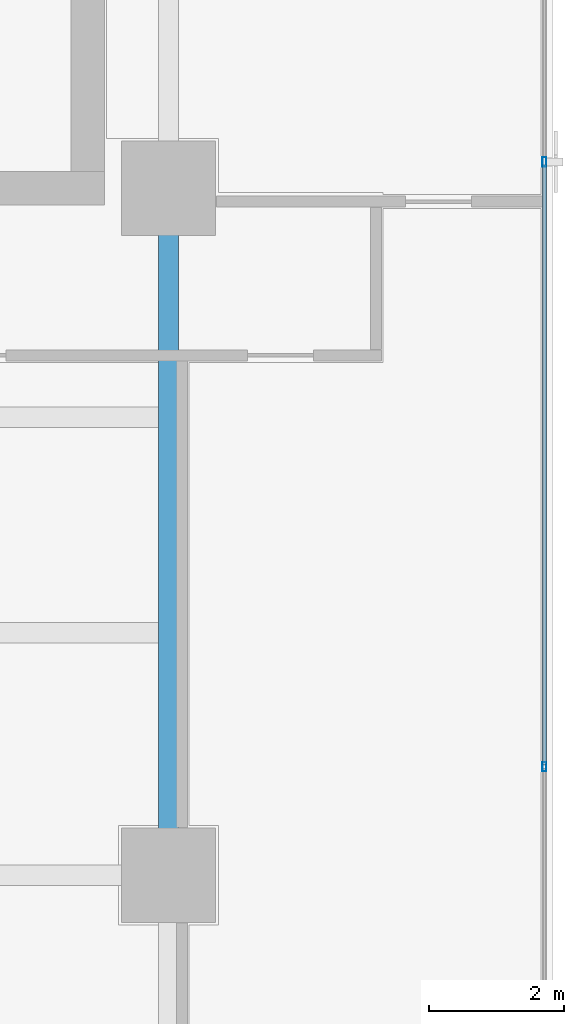
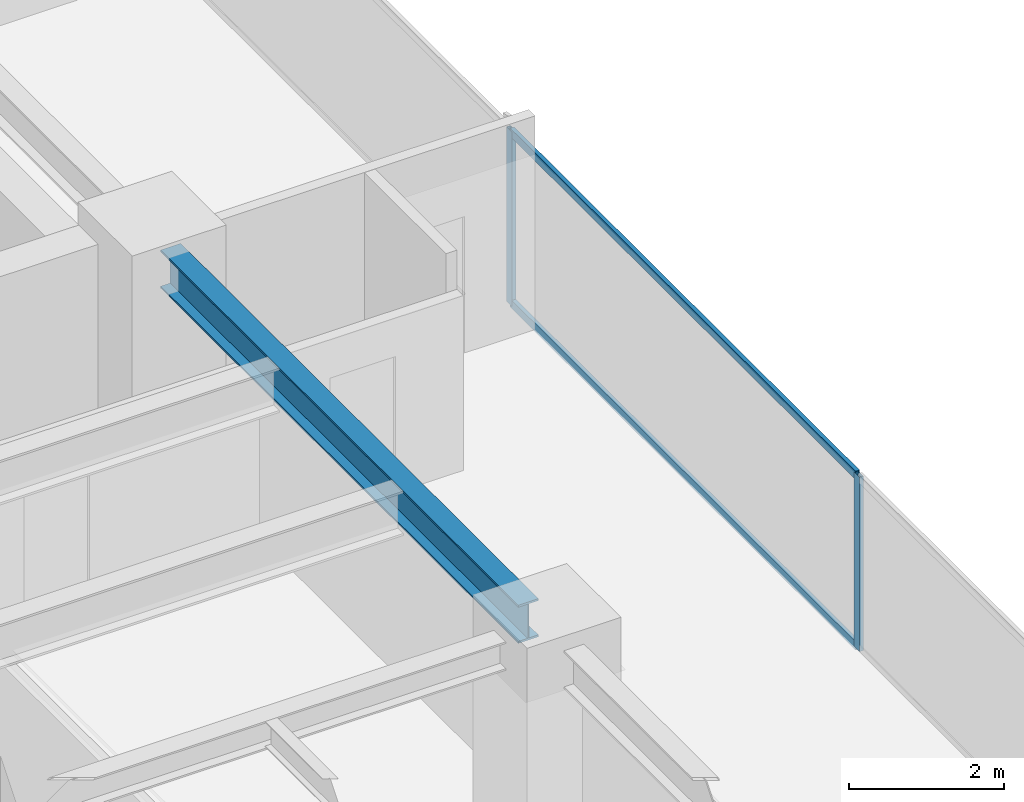
# One storey, part 13 of 26: 4 members, 1 beam, 1 element without a shape of its own.
"""IFC4 building model written with IfcOpenShell, lengths in metres."""

import ifcopenshell
import ifcopenshell.guid

model = None  # the IFC model being written
_history = None  # IfcOwnerHistory: only IFC2X3 demands one
_inside = {}  # id of a spatial element -> (the spatial element, [elements in it])
_under = {}  # id of a project, library or spatial element -> (it, [spatial elements below it])
_declared = {}  # id of a project -> (the project, [libraries it declares])
_typed = {}  # id of a type object -> (the type object, [elements of that type])
_made_of = {}  # id of a material, layer set ... -> (it, [elements and type objects made of it])


def new_model(schema):
    """Start an empty IFC model of exactly this schema.

    Asked for "IFC4X3", IfcOpenShell would pick the latest addendum, in which some entities
    have other attributes; the version numbers below select the first issue.
    IFC2X3 requires an IfcOwnerHistory on every rooted entity: one is made here for all.
    """
    global model, _history
    if schema == "IFC4X3":
        model = ifcopenshell.file(schema_version=(4, 3, 0, 0))
    else:
        model = ifcopenshell.file(schema=schema)
    _inside.clear()
    _under.clear()
    _declared.clear()
    _typed.clear()
    _made_of.clear()
    _history = None
    if model.schema == "IFC2X3":
        org = make("IfcOrganization", Name="unknown")
        user = make(
            "IfcPersonAndOrganization",
            ThePerson=make("IfcPerson", FamilyName="unknown"),
            TheOrganization=org,
        )
        app = make(
            "IfcApplication",
            ApplicationDeveloper=org,
            Version="unknown",
            ApplicationFullName="unknown",
            ApplicationIdentifier="unknown",
        )
        _history = make(
            "IfcOwnerHistory",
            OwningUser=user,
            OwningApplication=app,
            ChangeAction="ADDED",
            CreationDate=0,
        )
    return model


def make(cls, **values):
    """One entity of the class cls with the attributes given. An attribute that is None is left unset."""
    return model.create_entity(
        cls, **{name: value for name, value in values.items() if value is not None}
    )


def rooted(cls, **values):
    """An entity with a GlobalId (a new one), such as an element, a storey or a relation."""
    return make(cls, GlobalId=ifcopenshell.guid.new(), OwnerHistory=_history, **values)


def si_unit(unit_type, name, prefix=None):
    """IfcSIUnit, for example si_unit("LENGTHUNIT", "METRE", prefix="MILLI")."""
    return make("IfcSIUnit", UnitType=unit_type, Prefix=prefix, Name=name)


def assignment(units):
    """IfcUnitAssignment: the units of a project."""
    return None if units is None else make("IfcUnitAssignment", Units=units)


def point(xyz):
    """IfcCartesianPoint."""
    return None if xyz is None else make("IfcCartesianPoint", Coordinates=xyz)


def direction(xyz):
    """IfcDirection."""
    return None if xyz is None else make("IfcDirection", DirectionRatios=xyz)


def frame(location, z_axis=None, x_axis=None):
    """IfcAxis2Placement3D, a coordinate frame: its origin and axes. An axis left out is left unset."""
    return make(
        "IfcAxis2Placement3D",
        Location=point(location),
        Axis=direction(z_axis),
        RefDirection=direction(x_axis),
    )


def frame_2d(location, x_axis=None):
    """IfcAxis2Placement2D, a coordinate frame in the plane: its origin and x axis."""
    return make(
        "IfcAxis2Placement2D", Location=point(location), RefDirection=direction(x_axis)
    )


def origin():
    """The frame at (0, 0, 0) with its axes left unset."""
    return frame((0.0, 0.0, 0.0))


def origin_2d():
    """The frame at (0, 0) in the plane with its x axis left unset."""
    return frame_2d((0.0, 0.0))


def place(relative_to, where):
    """IfcLocalPlacement: puts the frame where relative to a parent placement (None: the world)."""
    return make(
        "IfcLocalPlacement", PlacementRelTo=relative_to, RelativePlacement=where
    )


def context(
    kind, dimensions, precision=None, world=None, true_north=None, identifier=None
):
    """IfcGeometricRepresentationContext, for example the 3D "Model" context."""
    return make(
        "IfcGeometricRepresentationContext",
        ContextIdentifier=identifier,
        ContextType=kind,
        CoordinateSpaceDimension=dimensions,
        Precision=precision,
        WorldCoordinateSystem=world,
        TrueNorth=true_north,
    )


def subcontext(parent, identifier, kind, view, scale=None):
    """IfcGeometricRepresentationSubContext, for example "Body" below "Model"."""
    return make(
        "IfcGeometricRepresentationSubContext",
        ContextIdentifier=identifier,
        ContextType=kind,
        ParentContext=parent,
        TargetScale=scale,
        TargetView=view,
    )


def project(units=None, contexts=None):
    """IfcProject with its units and contexts."""
    return rooted(
        "IfcProject",
        Name="project",
        RepresentationContexts=contexts,
        UnitsInContext=assignment(units),
    )


def spatial(cls, under=None, at=None, **own):
    """A site, building, storey or space (cls), placed at a placement, below another one or the project."""
    s = rooted(cls, ObjectPlacement=at, **own)
    if under is not None:
        _under.setdefault(under.id(), (under, []))[1].append(s)
    return s


def profile(cls, at=None, kind="AREA", **sizes):
    """A parametric profile (cls). Its sizes go by their IFC names, for example OverallWidth=200.0."""
    return make(cls, ProfileType=kind, Position=at, **sizes)


def hollow_rectangle(**sizes):
    """IfcRectangleHollowProfileDef."""
    return profile("IfcRectangleHollowProfileDef", **sizes)


def i_section(**sizes):
    """IfcIShapeProfileDef."""
    return profile("IfcIShapeProfileDef", **sizes)


def extrude(swept, where, along, depth):
    """IfcExtrudedAreaSolid: the profile swept, set in the frame where, extruded along a direction by depth."""
    return make(
        "IfcExtrudedAreaSolid",
        SweptArea=swept,
        Position=where,
        ExtrudedDirection=direction(along),
        Depth=depth,
    )


def shape(context_of_items, identifier, shape_type, items):
    """IfcShapeRepresentation: the items that make up one representation, for example the "Body"."""
    return make(
        "IfcShapeRepresentation",
        ContextOfItems=context_of_items,
        RepresentationIdentifier=identifier,
        RepresentationType=shape_type,
        Items=items,
    )


def source(mapping_origin, context_of_items, identifier, shape_type, items):
    """IfcRepresentationMap: a shape defined once, which mapped items show again and again."""
    return make(
        "IfcRepresentationMap",
        MappingOrigin=mapping_origin,
        MappedRepresentation=shape(context_of_items, identifier, shape_type, items),
    )


def transform(
    local_origin,
    x_axis=None,
    y_axis=None,
    z_axis=None,
    scale=None,
    scale2=None,
    scale3=None,
    uniform=True,
):
    """IfcCartesianTransformationOperator3D, or its non-uniform kind. x_axis, y_axis, z_axis: its Axis1, 2, 3."""
    if uniform:
        return make(
            "IfcCartesianTransformationOperator3D",
            Axis1=direction(x_axis),
            Axis2=direction(y_axis),
            LocalOrigin=point(local_origin),
            Scale=scale,
            Axis3=direction(z_axis),
        )
    return make(
        "IfcCartesianTransformationOperator3DnonUniform",
        Axis1=direction(x_axis),
        Axis2=direction(y_axis),
        LocalOrigin=point(local_origin),
        Scale=scale,
        Axis3=direction(z_axis),
        Scale2=scale2,
        Scale3=scale3,
    )


def mapped(mapping_source, mapping_target):
    """IfcMappedItem: shows the shape of a source again, moved by a transform."""
    return make(
        "IfcMappedItem", MappingSource=mapping_source, MappingTarget=mapping_target
    )


def material(Name=None, Category=None):
    """IfcMaterial."""
    return make("IfcMaterial", Name=Name, Category=Category)


def layer(
    of_material, thickness, ventilated=None, Name=None, Category=None, Priority=None
):
    """IfcMaterialLayer: one layer of a wall or slab, of a material (None: an air gap)."""
    return make(
        "IfcMaterialLayer",
        Material=of_material,
        LayerThickness=thickness,
        IsVentilated=ventilated,
        Name=Name,
        Category=Category,
        Priority=Priority,
    )


def layer_set(layers, Name=None):
    """IfcMaterialLayerSet."""
    return make("IfcMaterialLayerSet", MaterialLayers=layers, LayerSetName=Name)


def material_profile(
    of_material, cross_section, Name=None, Category=None, Priority=None
):
    """IfcMaterialProfile: a cross section and its material."""
    return make(
        "IfcMaterialProfile",
        Name=Name,
        Material=of_material,
        Profile=cross_section,
        Priority=Priority,
        Category=Category,
    )


def profile_set(profiles, Name=None, composite=None):
    """IfcMaterialProfileSet."""
    return make(
        "IfcMaterialProfileSet",
        Name=Name,
        MaterialProfiles=profiles,
        CompositeProfile=composite,
    )


def made_of(thing, what):
    """Note that an element or type object is made of a material, layer set ...; save() writes the relation."""
    if what is not None:
        _made_of.setdefault(what.id(), (what, []))[1].append(thing)
    return thing


def type_object(cls, material=None, **own):
    """A type object (cls), such as IfcWallType, which elements share."""
    return made_of(rooted(cls, **own), material)


def element(
    cls,
    number,
    at=None,
    inside=None,
    cuts=None,
    type_object=None,
    material=None,
    context=None,
    identifier="Body",
    shape_type=None,
    held_by="IfcProductDefinitionShape",
    body=None,
    shapes=None,
    **own,
):
    """One element of the class cls, such as IfcWall. Its Tag is "e" and its number.

    at: its placement. inside: the storey or other place that contains it. cuts: it is an
    opening in that element (IfcRelVoidsElement). A single representation is given by context,
    identifier, shape_type and body (its items); several are given by shapes. held_by: the class
    of the entity that holds the representations. save() writes the other relations.
    """
    e = rooted(cls, Tag="e%d" % number, ObjectPlacement=at, **own)
    if body is not None:
        shapes = [shape(context, identifier, shape_type, body)]
    if shapes is not None:
        e.Representation = make(held_by, Representations=shapes)
    if inside is not None:
        _inside.setdefault(inside.id(), (inside, []))[1].append(e)
    if cuts is not None:
        rooted(
            "IfcRelVoidsElement", RelatingBuildingElement=cuts, RelatedOpeningElement=e
        )
    if type_object is not None:
        _typed.setdefault(type_object.id(), (type_object, []))[1].append(e)
    return made_of(e, material)


def aggregate(whole, parts):
    """IfcRelAggregates: a whole, such as a stair, and the parts it consists of."""
    return rooted("IfcRelAggregates", RelatingObject=whole, RelatedObjects=parts)


def save(model, path):
    """Write the relations noted so far, then the file.

    IfcRelAggregates (storeys below a building ...), IfcRelContainedInSpatialStructure (elements
    in a storey), IfcRelDefinesByType, IfcRelAssociatesMaterial and IfcRelDeclares: one each for
    every whole, place, type object, material and project.
    """
    for whole, parts in _under.values():
        aggregate(whole, parts)
    for where, things in _inside.values():
        rooted(
            "IfcRelContainedInSpatialStructure",
            RelatedElements=things,
            RelatingStructure=where,
        )
    for kind, things in _typed.values():
        rooted("IfcRelDefinesByType", RelatedObjects=things, RelatingType=kind)
    for what, things in _made_of.values():
        rooted("IfcRelAssociatesMaterial", RelatedObjects=things, RelatingMaterial=what)
    for by, libraries in _declared.values():
        rooted("IfcRelDeclares", RelatingContext=by, RelatedDefinitions=libraries)
    model.write(path)


model = new_model("IFC4")

# Units and contexts
model_context = context("Model", 3, precision=1e-05, world=origin(), true_north=direction((0.0, 1.0)))
body_context = subcontext(model_context, "Body", "Model", "MODEL_VIEW")
ifc_project = project(units=[si_unit("LENGTHUNIT", "METRE"), si_unit("AREAUNIT", "SQUARE_METRE"), si_unit("VOLUMEUNIT", "CUBIC_METRE"), si_unit("PLANEANGLEUNIT", "RADIAN"), si_unit("MASSUNIT", "GRAM", prefix="KILO")], contexts=[model_context])

# Site, building, storey
site_placement = place(None, origin())
site = spatial("IfcSite", under=ifc_project, at=site_placement, CompositionType="ELEMENT")
building_placement = place(site_placement, origin())
building = spatial("IfcBuilding", under=site, at=building_placement, Name="Sumidabori Civic Tower", CompositionType="ELEMENT")
storey_placement = place(building_placement, frame((0.0, 0.0, 254.0)))
storey = spatial("IfcBuildingStorey", under=building, at=storey_placement, Name="L66", CompositionType="ELEMENT", Elevation=254.0)

# Beam
ifc_material_1 = material(Name="Steel SN490", Category="steel")
ifc_material_profile_1 = material_profile(ifc_material_1, i_section(OverallWidth=0.300048828125, OverallDepth=0.60009765625, WebThickness=0.015380859375, FlangeThickness=0.030029296875, at=origin_2d()), Name="HE 600 B")
ifc_profile_set_1 = profile_set([ifc_material_profile_1], Name="Steel SN490")
beam_type = type_object("IfcBeamType", Name="BM-GIRD-600", PredefinedType="BEAM", material=ifc_profile_set_1)
shared_shape_1 = source(origin(), body_context, "Body", "SweptSolid", [
    extrude(i_section(OverallWidth=0.300048828125, OverallDepth=0.60009765625, WebThickness=0.015380859375, FlangeThickness=0.030029296875, at=origin_2d()), origin(), (0.0, 0.0, 1.0), 9.239990234375),
])
beam_placement = place(storey_placement, frame((16.800048828125, 0.47998046875, 3.070068359375), z_axis=(0.0, 1.0, 0.0), x_axis=(-1.0, 0.0, 0.0)))
element("IfcBeam", 1, at=beam_placement, inside=storey, type_object=beam_type, Name="Primary Girder L66 GY-16", PredefinedType="BEAM", context=body_context, shape_type="MappedRepresentation", body=[
    mapped(shared_shape_1, transform((0.0, 0.0, 0.0), x_axis=(1.0, 0.0, 0.0), y_axis=(0.0, 1.0, 0.0), z_axis=(0.0, 0.0, 1.0), scale=1.0)),
])

# Curtain wall, members
ifc_material_2 = material(Name="Anodised Bronze Aluminium AW-6063-T6", Category="aluminium")
ifc_layer = layer(ifc_material_2, 0.179931640625, Name="Anodised Bronze Aluminium AW-6063-T6")
ifc_layer_set = layer_set([ifc_layer], Name="Anodised Bronze Aluminium AW-6063-T6")
curtain_wall_type = type_object("IfcCurtainWallType", Name="CW-SYS-5", PredefinedType="NOTDEFINED", material=ifc_layer_set)
curtain_wall_placement = place(storey_placement, origin())
curtain_wall = element("IfcCurtainWall", 2, at=curtain_wall_placement, inside=storey, type_object=curtain_wall_type, Name="Curtain Wall CW:L66:R04", PredefinedType="NOTDEFINED")
ifc_material_profile_2 = material_profile(ifc_material_2, hollow_rectangle(XDim=0.06005859375, YDim=0.139892578125, WallThickness=0.0048828125, at=origin_2d()), Name="ALU MULLION 140x60")
ifc_profile_set_2 = profile_set([ifc_material_profile_2], Name="Anodised Bronze Aluminium AW-6063-T6")
member_type_1 = type_object("IfcMemberType", Name="CW-MUL-140", PredefinedType="MULLION", material=ifc_profile_set_2)
shared_shape_2 = source(origin(), body_context, "Body", "SweptSolid", [
    extrude(hollow_rectangle(XDim=0.06005859375, YDim=0.139892578125, WallThickness=0.0048828125, at=origin_2d()), origin(), (0.0, 0.0, 1.0), 2.75),
])
member_1_placement = place(storey_placement, frame((22.3798828125, 1.610107421875, 0.0), z_axis=(0.0, 0.0, 1.0), x_axis=(-1.0, 0.0, 0.0)))
member_1 = element("IfcMember", 3, at=member_1_placement, type_object=member_type_1, Name="CW-5 mullion 2", PredefinedType="MULLION", context=body_context, shape_type="MappedRepresentation", body=[
    mapped(shared_shape_2, transform((0.0, 0.0, 0.0), x_axis=(1.0, 0.0, 0.0), y_axis=(0.0, 1.0, 0.0), z_axis=(0.0, 0.0, 1.0), scale=1.0)),
])
member_2_placement = place(storey_placement, frame((22.3798828125, 10.590087890625, 0.0), z_axis=(0.0, 0.0, 1.0), x_axis=(-1.0, 0.0, 0.0)))
member_2 = element("IfcMember", 4, at=member_2_placement, type_object=member_type_1, Name="CW-5 mullion 3", PredefinedType="MULLION", context=body_context, shape_type="MappedRepresentation", body=[
    mapped(shared_shape_2, transform((0.0, 0.0, 0.0), x_axis=(1.0, 0.0, 0.0), y_axis=(0.0, 1.0, 0.0), z_axis=(0.0, 0.0, 1.0), scale=1.0)),
])
ifc_material_profile_3 = material_profile(ifc_material_2, hollow_rectangle(XDim=0.06005859375, YDim=0.1298828125, WallThickness=0.0048828125, at=origin_2d()), Name="ALU TRANSOM 130x60")
ifc_profile_set_3 = profile_set([ifc_material_profile_3], Name="Anodised Bronze Aluminium AW-6063-T6")
member_type_2 = type_object("IfcMemberType", Name="CW-TRN-130", PredefinedType="USERDEFINED", material=ifc_profile_set_3)
shared_shape_3 = source(origin(), body_context, "Body", "SweptSolid", [
    extrude(hollow_rectangle(XDim=0.06005859375, YDim=0.1298828125, WallThickness=0.0048828125, at=origin_2d()), origin(), (0.0, 0.0, 1.0), 8.920166015625),
])
member_3_placement = place(storey_placement, frame((22.3798828125, 1.639892578125, 0.030029296875), z_axis=(0.0, 1.0, 0.0), x_axis=(-1.0, 0.0, 0.0)))
member_3 = element("IfcMember", 5, at=member_3_placement, type_object=member_type_2, Name="CW-5 transom 2.1", ObjectType="TRANSOM", PredefinedType="USERDEFINED", context=body_context, shape_type="MappedRepresentation", body=[
    mapped(shared_shape_3, transform((0.0, 0.0, 0.0), x_axis=(1.0, 0.0, 0.0), y_axis=(0.0, 1.0, 0.0), z_axis=(0.0, 0.0, 1.0), scale=1.0)),
])
member_4_placement = place(storey_placement, frame((22.3798828125, 1.639892578125, 2.719970703125), z_axis=(0.0, 1.0, 0.0), x_axis=(-1.0, 0.0, 0.0)))
member_4 = element("IfcMember", 6, at=member_4_placement, type_object=member_type_2, Name="CW-5 transom 2.2", ObjectType="TRANSOM", PredefinedType="USERDEFINED", context=body_context, shape_type="MappedRepresentation", body=[
    mapped(shared_shape_3, transform((0.0, 0.0, 0.0), x_axis=(1.0, 0.0, 0.0), y_axis=(0.0, 1.0, 0.0), z_axis=(0.0, 0.0, 1.0), scale=1.0)),
])
aggregate(curtain_wall, [member_1, member_2, member_3, member_4])

save(model, "model.ifc")
